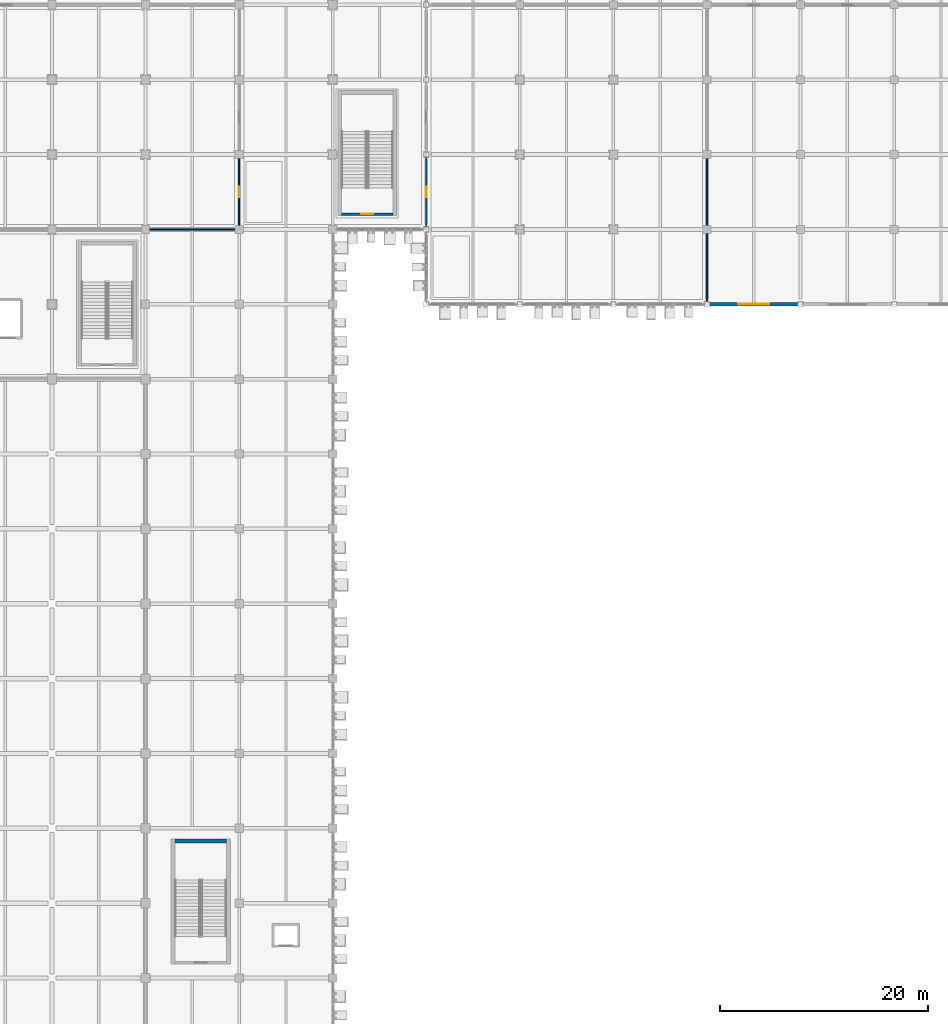
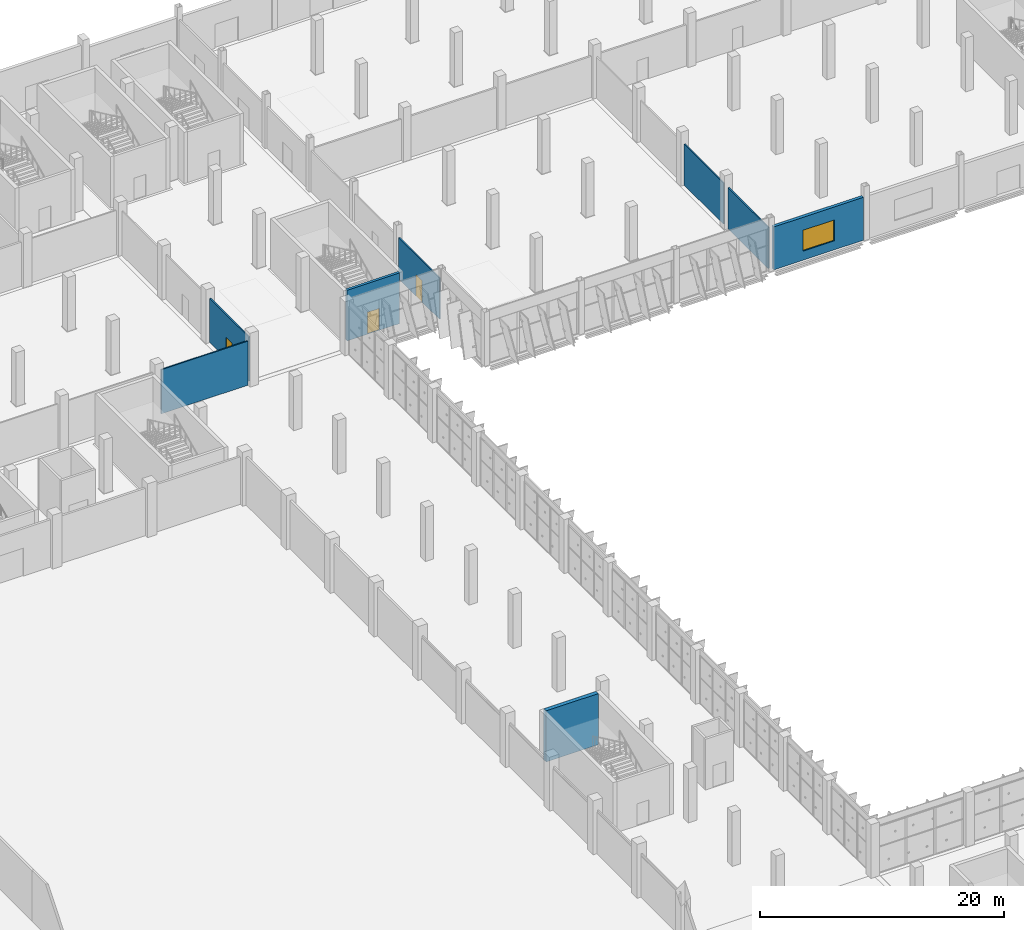
# One storey, part 93 of 137: 8 walls, 3 doors, 1 window, 4 openings.
"""IFC4 building model written with IfcOpenShell, lengths in metres."""

from ifc_helpers import new_model, si_unit, direction, frame, frame_2d, origin, place, context, subcontext, project, spatial, rectangle, extrude, material, layer, layer_set, type_object, element, fill, save


model = new_model("IFC4")

# Units and contexts
model_context = context("Model", 3, precision=1e-05, world=origin(), true_north=direction((0.0, 1.0)))
body_context = subcontext(model_context, "Body", "Model", "MODEL_VIEW")
ifc_project = project(units=[si_unit("LENGTHUNIT", "METRE"), si_unit("AREAUNIT", "SQUARE_METRE"), si_unit("VOLUMEUNIT", "CUBIC_METRE"), si_unit("PLANEANGLEUNIT", "RADIAN"), si_unit("MASSUNIT", "GRAM", prefix="KILO")], contexts=[model_context])

# Site, building, storey
site_placement = place(None, origin())
site = spatial("IfcSite", under=ifc_project, at=site_placement, CompositionType="ELEMENT")
building_placement = place(site_placement, origin())
building = spatial("IfcBuilding", under=site, at=building_placement, Name="Celestram Park Convention Centre", CompositionType="ELEMENT")
storey_placement = place(building_placement, origin())
storey = spatial("IfcBuildingStorey", under=building, at=storey_placement, Name="L00", CompositionType="ELEMENT", Elevation=0.0)

# Wall, opening, door
ifc_material_1 = material(Name="Concrete Block Masonry C25/30", Category="masonry")
ifc_layer_1 = layer(ifc_material_1, 0.25)
ifc_layer_set_1 = layer_set([ifc_layer_1], Name="Concrete Block Masonry C25/30")
wall_type_1 = type_object("IfcWallType", Name="ARC-WL-COR250", PredefinedType="STANDARD", material=ifc_layer_set_1)
wall_1_placement = place(storey_placement, frame((149.800048828125, 123.875, 0.0), z_axis=(0.0, 0.0, 1.0), x_axis=(-1.0, 0.0, 0.0)))
wall_1 = element("IfcWall", 1, at=wall_1_placement, inside=storey, type_object=wall_type_1, Name="Core S10 stair entrance wall", PredefinedType="STANDARD", context=body_context, shape_type="SweptSolid", body=[
    extrude(rectangle(XDim=4.9599609375, YDim=0.25, at=frame_2d((2.47998046875, 0.0))), origin(), (0.0, 0.0, 1.0), 5.080078125),
])
opening_1_placement = place(wall_1_placement, frame((1.905029296875, 0.0, 0.0)))
opening_1 = element("IfcOpeningElement", 2, at=opening_1_placement, cuts=wall_1, Name="Opening D-ST1", PredefinedType="OPENING", context=body_context, shape_type="SweptSolid", body=[
    extrude(rectangle(XDim=1.14990234375, YDim=2.199951171875, at=frame_2d((0.574951171875, 1.10009765625))), frame((0.0, 0.135009765625, 0.0), z_axis=(0.0, -1.0, 0.0), x_axis=(1.0, 0.0, 0.0)), (0.0, 0.0, 1.0), 0.27001953125),
])
ifc_material_2 = material(Name="Fire-Rated Hollow Metal Steel ASTM A653", Category="steel")
door_type_1 = type_object("IfcDoorType", Name="ARC-DR-ST115", OperationType="NOTDEFINED", PredefinedType="DOOR", material=ifc_material_2)
door_1_placement = place(opening_1_placement, origin())
door_1 = element("IfcDoor", 3, at=door_1_placement, inside=storey, type_object=door_type_1, Name="Exit stair ST-10 fire door", OperationType="SINGLE_SWING_LEFT", OverallHeight=2.199951171875, OverallWidth=1.14990234375, PredefinedType="DOOR", context=body_context, shape_type="SweptSolid", body=[
    extrude(rectangle(XDim=1.14990234375, YDim=2.199951171875, at=frame_2d((0.574951171875, 1.10009765625))), frame((0.0, 0.02490234375, 0.0), z_axis=(0.0, -1.0, 0.0), x_axis=(1.0, 0.0, 0.0)), (0.0, 0.0, 1.0), 0.050048828125),
])
fill(opening_1, door_1)

# Wall, opening, window
ifc_material_3 = material(Name="Precast Concrete C40/50", Category="concrete")
ifc_layer_2 = layer(ifc_material_3, 0.300048828125)
ifc_layer_set_2 = layer_set([ifc_layer_2], Name="Precast Concrete C40/50")
wall_type_2 = type_object("IfcWallType", Name="ARC-WL-EXT300", PredefinedType="STANDARD", material=ifc_layer_set_2)
wall_2_placement = place(storey_placement, frame((188.751953125, 115.199951171875, 0.0), z_axis=(0.0, 0.0, 1.0), x_axis=(-1.0, 0.0, 0.0)))
wall_2 = element("IfcWall", 4, at=wall_2_placement, inside=storey, type_object=wall_type_2, Name="Bush-hammered precast exterior wall WL-L00-EW055", PredefinedType="STANDARD", context=body_context, shape_type="SweptSolid", body=[
    extrude(rectangle(XDim=8.50390625, YDim=0.300048828125, at=frame_2d((4.251953125, 0.0))), origin(), (0.0, 0.0, 1.0), 4.297119140625),
])
opening_2_placement = place(wall_2_placement, frame((2.751953125, 0.0, 0.89990234375)))
opening_2 = element("IfcOpeningElement", 5, at=opening_2_placement, cuts=wall_2, Name="Opening W-02", PredefinedType="OPENING", context=body_context, shape_type="SweptSolid", body=[
    extrude(rectangle(XDim=3.0, YDim=2.10009765625, at=frame_2d((1.5, 1.050048828125))), frame((0.0, 0.159912109375, 0.0), z_axis=(0.0, -1.0, 0.0), x_axis=(1.0, 0.0, 0.0)), (0.0, 0.0, 1.0), 0.320068359375),
])
ifc_material_4 = material(Name="Thermally Broken Aluminium & Triple Glazing", Category="aluminium")
window_type = type_object("IfcWindowType", Name="ARC-WN-300X220", PartitioningType="SINGLE_PANEL", PredefinedType="WINDOW", material=ifc_material_4)
window_placement = place(opening_2_placement, origin())
window = element("IfcWindow", 6, at=window_placement, inside=storey, type_object=window_type, Name="Punched exterior window WN-L00-002", OverallHeight=2.10009765625, OverallWidth=3.0, PartitioningType="SINGLE_PANEL", PredefinedType="WINDOW", context=body_context, shape_type="SweptSolid", body=[
    extrude(rectangle(XDim=3.0, YDim=2.10009765625, at=frame_2d((1.5, 1.050048828125))), frame((0.0, 0.030029296875, 0.0), z_axis=(0.0, -1.0, 0.0), x_axis=(1.0, 0.0, 0.0)), (0.0, 0.0, 1.0), 0.06005859375),
])
fill(opening_2, window)

# Wall
ifc_material_5 = material(Name="Standard Gypsum & Steel Stud 120 mm", Category="steel")
ifc_layer_3 = layer(ifc_material_5, 0.1201171875)
ifc_layer_set_3 = layer_set([ifc_layer_3], Name="Standard Gypsum & Steel Stud 120 mm")
wall_type_3 = type_object("IfcWallType", Name="ARC-WL-PRT120", PredefinedType="PARTITIONING", material=ifc_layer_set_3)
wall_3_placement = place(storey_placement, frame((126.39794921875, 122.39990234375, 0.0), z_axis=(0.0, 0.0, 1.0), x_axis=(1.0, 0.0, 0.0)))
element("IfcWall", 7, at=wall_3_placement, inside=storey, type_object=wall_type_3, Name="Interior partition WL-L00-IN0581", PredefinedType="PARTITIONING", context=body_context, shape_type="SweptSolid", body=[
    extrude(rectangle(XDim=8.2041015625, YDim=0.1201171875, at=frame_2d((4.10205078125, 0.0))), origin(), (0.0, 0.0, 1.0), 4.424072265625),
])

# Wall, opening, door
wall_4_placement = place(storey_placement, frame((135.0, 122.798095703125, 0.0), z_axis=(0.0, 0.0, 1.0), x_axis=(0.0, 1.0, 0.0)))
wall_4 = element("IfcWall", 8, at=wall_4_placement, inside=storey, type_object=wall_type_3, Name="Interior partition WL-L00-IN0669", PredefinedType="PARTITIONING", context=body_context, shape_type="SweptSolid", body=[
    extrude(rectangle(XDim=6.40380859375, YDim=0.1201171875, at=frame_2d((3.201904296875, 0.0))), origin(), (0.0, 0.0, 1.0), 4.43701171875),
])
opening_3_placement = place(wall_4_placement, frame((2.701904296875, 0.0, 0.0)))
opening_3 = element("IfcOpeningElement", 9, at=opening_3_placement, cuts=wall_4, Name="Opening D-07", PredefinedType="OPENING", context=body_context, shape_type="SweptSolid", body=[
    extrude(rectangle(XDim=1.0, YDim=2.14990234375, at=frame_2d((0.5, 1.074951171875))), frame((0.0, 0.070068359375, 0.0), z_axis=(0.0, -1.0, 0.0), x_axis=(1.0, 0.0, 0.0)), (0.0, 0.0, 1.0), 0.14013671875),
])
ifc_material_6 = material(Name="Solid Core White Oak Single Door", Category="wood")
door_type_2 = type_object("IfcDoorType", Name="ARC-DR-RM100", OperationType="NOTDEFINED", PredefinedType="DOOR", material=ifc_material_6)
door_2_placement = place(opening_3_placement, origin())
door_2 = element("IfcDoor", 10, at=door_2_placement, inside=storey, type_object=door_type_2, Name="Parkfront Espresso & Cafe Hall entrance door", OperationType="SINGLE_SWING_LEFT", OverallHeight=2.14990234375, OverallWidth=1.0, PredefinedType="DOOR", context=body_context, shape_type="SweptSolid", body=[
    extrude(rectangle(XDim=1.0, YDim=2.14990234375, at=frame_2d((0.5, 1.074951171875))), frame((0.0, 0.02490234375, 0.0), z_axis=(0.0, -1.0, 0.0), x_axis=(1.0, 0.0, 0.0)), (0.0, 0.0, 1.0), 0.050048828125),
])
fill(opening_3, door_2)

wall_5_placement = place(storey_placement, frame((153.0, 122.64794921875, 0.0), z_axis=(0.0, 0.0, 1.0), x_axis=(0.0, 1.0, 0.0)))
wall_5 = element("IfcWall", 11, at=wall_5_placement, inside=storey, type_object=wall_type_3, Name="Interior partition WL-L00-IN0672", PredefinedType="PARTITIONING", context=body_context, shape_type="SweptSolid", body=[
    extrude(rectangle(XDim=6.7041015625, YDim=0.1201171875, at=frame_2d((3.35205078125, 0.0))), origin(), (0.0, 0.0, 1.0), 4.1240234375),
])
opening_4_placement = place(wall_5_placement, frame((2.826904296875, 0.0, 0.0)))
opening_4 = element("IfcOpeningElement", 12, at=opening_4_placement, cuts=wall_5, Name="Opening D-06", PredefinedType="OPENING", context=body_context, shape_type="SweptSolid", body=[
    extrude(rectangle(XDim=1.050048828125, YDim=2.14990234375, at=frame_2d((0.52490234375, 1.074951171875))), frame((0.0, 0.070068359375, 0.0), z_axis=(0.0, -1.0, 0.0), x_axis=(1.0, 0.0, 0.0)), (0.0, 0.0, 1.0), 0.14013671875),
])
door_type_3 = type_object("IfcDoorType", Name="ARC-DR-RM105", OperationType="NOTDEFINED", PredefinedType="DOOR", material=ifc_material_6)
door_3_placement = place(opening_4_placement, origin())
door_3 = element("IfcDoor", 13, at=door_3_placement, inside=storey, type_object=door_type_3, Name="Plenary Speaker Lounge entrance door", OperationType="SINGLE_SWING_LEFT", OverallHeight=2.14990234375, OverallWidth=1.050048828125, PredefinedType="DOOR", context=body_context, shape_type="SweptSolid", body=[
    extrude(rectangle(XDim=1.050048828125, YDim=2.14990234375, at=frame_2d((0.52490234375, 1.074951171875))), frame((0.0, 0.02490234375, 0.0), z_axis=(0.0, -1.0, 0.0), x_axis=(1.0, 0.0, 0.0)), (0.0, 0.0, 1.0), 0.050048828125),
])
fill(opening_4, door_3)

# Walls
wall_6_placement = place(storey_placement, frame((180.0, 115.447998046875, 0.0), z_axis=(0.0, 0.0, 1.0), x_axis=(0.0, 1.0, 0.0)))
element("IfcWall", 14, at=wall_6_placement, inside=storey, type_object=wall_type_3, Name="Interior partition WL-L00-IN0681", PredefinedType="PARTITIONING", context=body_context, shape_type="SweptSolid", body=[
    extrude(rectangle(XDim=6.5791015625, YDim=0.1201171875, at=frame_2d((3.28955078125, 0.0))), origin(), (0.0, 0.0, 1.0), 4.1240234375),
])
wall_7_placement = place(storey_placement, frame((180.0, 122.77294921875, 0.0), z_axis=(0.0, 0.0, 1.0), x_axis=(0.0, 1.0, 0.0)))
element("IfcWall", 15, at=wall_7_placement, inside=storey, type_object=wall_type_3, Name="Interior partition WL-L00-IN0682", PredefinedType="PARTITIONING", context=body_context, shape_type="SweptSolid", body=[
    extrude(rectangle(XDim=6.4541015625, YDim=0.1201171875, at=frame_2d((3.22705078125, 0.0))), origin(), (0.0, 0.0, 1.0), 4.1240234375),
])
ifc_material_7 = material(Name="Concrete C40/50", Category="concrete")
ifc_layer_4 = layer(ifc_material_7, 0.3798828125)
ifc_layer_set_4 = layer_set([ifc_layer_4], Name="Concrete C40/50")
wall_type_4 = type_object("IfcWallType", Name="STR-WL-SHR380", PredefinedType="SHEAR", material=ifc_layer_set_4)
wall_8_placement = place(storey_placement, frame((128.840087890625, 63.590087890625, 0.0), z_axis=(0.0, 0.0, 1.0), x_axis=(1.0, 0.0, 0.0)))
element("IfcWall", 16, at=wall_8_placement, inside=storey, type_object=wall_type_4, Name="Core C4 shear wall F", PredefinedType="SHEAR", context=body_context, shape_type="SweptSolid", body=[
    extrude(rectangle(XDim=4.9599609375, YDim=0.3798828125, at=frame_2d((2.47998046875, 0.0))), origin(), (0.0, 0.0, 1.0), 5.1201171875),
])

save(model, "model.ifc")
